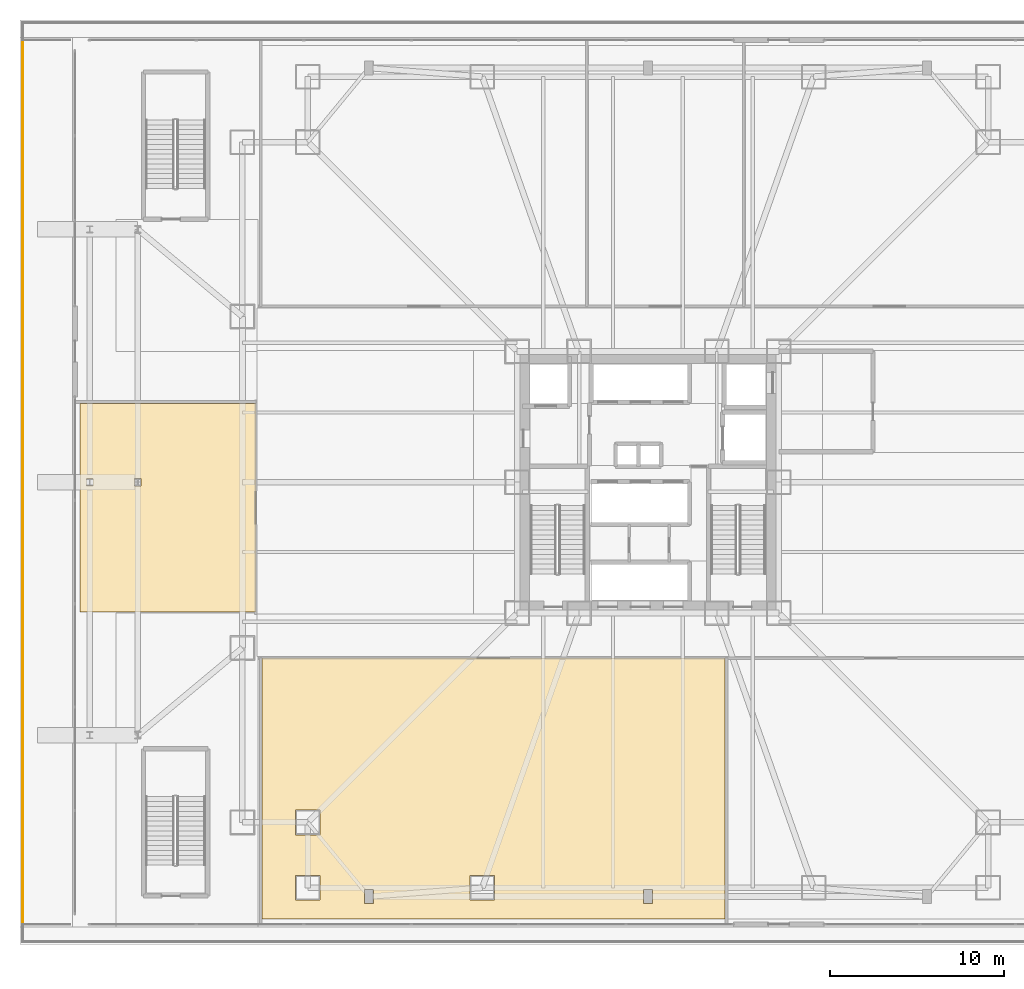
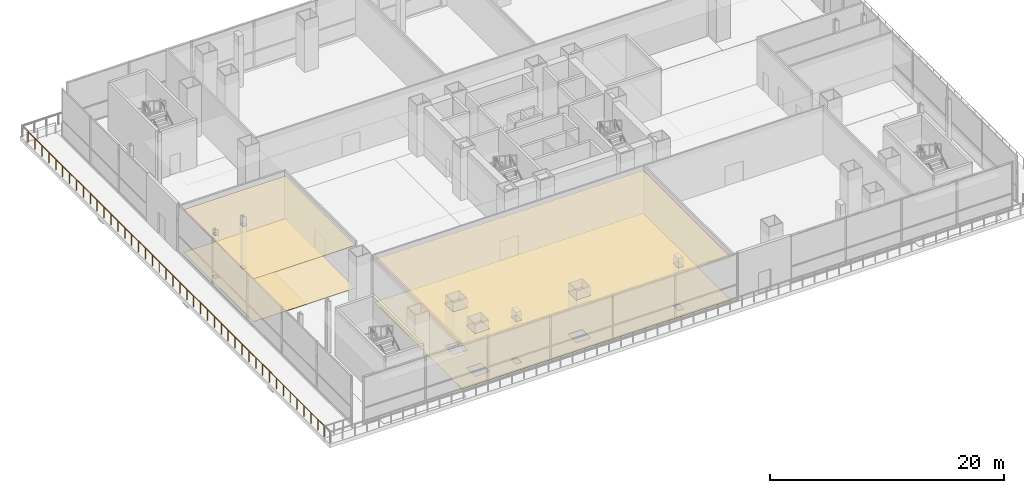
# One storey, part 26 of 36: 4 coverings, 1 railing.
"""IFC4 building model written with IfcOpenShell, lengths in metres."""

from ifc_helpers import new_model, si_unit, direction, frame, origin, origin_2d, place, context, subcontext, project, spatial, polyline, circle, outline, extrude, material, layer, layer_set, type_object, element, save


model = new_model("IFC4")

# Units and contexts
model_context = context("Model", 3, precision=1e-05, world=origin(), true_north=direction((0.0, 1.0)))
body_context = subcontext(model_context, "Body", "Model", "MODEL_VIEW")
ifc_project = project(units=[si_unit("LENGTHUNIT", "METRE"), si_unit("AREAUNIT", "SQUARE_METRE"), si_unit("VOLUMEUNIT", "CUBIC_METRE"), si_unit("PLANEANGLEUNIT", "RADIAN"), si_unit("MASSUNIT", "GRAM", prefix="KILO")], contexts=[model_context])

# Site, building, storey
site_placement = place(None, origin())
site = spatial("IfcSite", under=ifc_project, at=site_placement, CompositionType="ELEMENT")
building_placement = place(site_placement, origin())
building = spatial("IfcBuilding", under=site, at=building_placement, Name="Trevonay Congress Spire", CompositionType="ELEMENT")
storey_placement = place(building_placement, frame((0.0, 0.0, 16.199951171875)))
storey = spatial("IfcBuildingStorey", under=building, at=storey_placement, Name="L03", CompositionType="ELEMENT", Elevation=16.199951171875)

# Coverings
ifc_material_1 = material(Name="Acoustic Mineral Fibre Board", Category="gypsum")
ifc_layer_1 = layer(ifc_material_1, 0.02490234375, Name="Acoustic Mineral Fibre Board")
ifc_layer_set_1 = layer_set([ifc_layer_1], Name="Acoustic Mineral Fibre Board")
covering_type_1 = type_object("IfcCoveringType", Name="COV-CEIL-ACOUSTIC", PredefinedType="CEILING", material=ifc_layer_set_1)
covering_1_placement = place(storey_placement, frame((0.0, 0.0, 4.449951171875)))
element("IfcCovering", 1, at=covering_1_placement, inside=storey, type_object=covering_type_1, Name="L03 Grand Ballroom acoustic suspended ceiling", PredefinedType="CEILING", context=body_context, shape_type="SweptSolid", body=[
    extrude(outline(polyline([(-22.1201171875, -10.080078125), (4.419921875, -10.080078125), (4.419921875, -25.050048828125), (-22.1201171875, -25.050048828125), (-22.1201171875, -10.080078125)]), holes=[polyline([(-16.260009765625, -23.340087890625), (-16.260009765625, -24.159912109375), (-15.739990234375, -24.159912109375), (-15.739990234375, -23.340087890625), (-16.260009765625, -23.340087890625)]), polyline([(-0.260009765625, -23.340087890625), (-0.260009765625, -24.159912109375), (0.260009765625, -24.159912109375), (0.260009765625, -23.340087890625), (-0.260009765625, -23.340087890625)]), polyline([(-20.2099609375, -22.5400390625), (-20.2099609375, -23.9599609375), (-18.7900390625, -23.9599609375), (-18.7900390625, -22.5400390625), (-20.2099609375, -22.5400390625)]), polyline([(-8.7900390625, -22.5400390625), (-10.2099609375, -22.5400390625), (-10.2099609375, -23.9599609375), (-8.7900390625, -23.9599609375), (-8.7900390625, -22.5400390625)]), polyline([(-18.7900390625, -18.7900390625), (-20.2099609375, -18.7900390625), (-20.2099609375, -20.2099609375), (-18.7900390625, -20.2099609375), (-18.7900390625, -18.7900390625)])]), origin(), (0.0, 0.0, 1.0), 0.025146484375),
])
covering_2_placement = place(storey_placement, frame((0.0, 0.0, 4.449951171875)))
element("IfcCovering", 2, at=covering_2_placement, inside=storey, type_object=covering_type_1, Name="L03 VIP Bridal and Green Lounge acoustic suspended ceiling", PredefinedType="CEILING", context=body_context, shape_type="SweptSolid", body=[
    extrude(outline(polyline([(-32.550048828125, 4.52001953125), (-22.47998046875, 4.52001953125), (-22.47998046875, -7.449951171875), (-32.550048828125, -7.449951171875), (-32.550048828125, 4.52001953125)]), holes=[polyline([(-32.175048828125, -0.199951171875), (-31.824951171875, -0.199951171875), (-31.824951171875, 0.199951171875), (-32.175048828125, 0.199951171875), (-32.175048828125, -0.199951171875)]), polyline([(-29.444091796875, -0.222412109375), (-29.055908203125, -0.222412109375), (-29.055908203125, 0.222412109375), (-29.444091796875, 0.222412109375), (-29.444091796875, -0.222412109375)])]), origin(), (0.0, 0.0, 1.0), 0.025146484375),
])
ifc_material_2 = material(Name="Polished Granite Floor Tile", Category="masonry")
ifc_layer_2 = layer(ifc_material_2, 0.02001953125, Name="Polished Granite Floor Tile")
ifc_layer_set_2 = layer_set([ifc_layer_2], Name="Polished Granite Floor Tile")
covering_type_2 = type_object("IfcCoveringType", Name="COV-FLOOR-STONE", PredefinedType="FLOORING", material=ifc_layer_set_2)
covering_3_placement = place(storey_placement, origin())
element("IfcCovering", 3, at=covering_3_placement, inside=storey, type_object=covering_type_2, Name="L03 Grand Ballroom floor finish", PredefinedType="FLOORING", context=body_context, shape_type="SweptSolid", body=[
    extrude(outline(polyline([(-22.1201171875, -10.080078125), (4.419921875, -10.080078125), (4.419921875, -25.050048828125), (-22.1201171875, -25.050048828125), (-22.1201171875, -10.080078125)]), holes=[polyline([(-16.260009765625, -23.340087890625), (-16.260009765625, -24.159912109375), (-15.739990234375, -24.159912109375), (-15.739990234375, -23.340087890625), (-16.260009765625, -23.340087890625)]), polyline([(-0.260009765625, -23.340087890625), (-0.260009765625, -24.159912109375), (0.260009765625, -24.159912109375), (0.260009765625, -23.340087890625), (-0.260009765625, -23.340087890625)]), polyline([(-20.2099609375, -22.5400390625), (-20.2099609375, -23.9599609375), (-18.7900390625, -23.9599609375), (-18.7900390625, -22.5400390625), (-20.2099609375, -22.5400390625)]), polyline([(-8.7900390625, -22.5400390625), (-10.2099609375, -22.5400390625), (-10.2099609375, -23.9599609375), (-8.7900390625, -23.9599609375), (-8.7900390625, -22.5400390625)]), polyline([(-18.7900390625, -18.7900390625), (-20.2099609375, -18.7900390625), (-20.2099609375, -20.2099609375), (-18.7900390625, -20.2099609375), (-18.7900390625, -18.7900390625)])]), origin(), (0.0, 0.0, 1.0), 0.02001953125),
])
ifc_material_3 = material(Name="Engineered Oak Flooring", Category="wood")
ifc_layer_3 = layer(ifc_material_3, 0.01806640625, Name="Engineered Oak Flooring")
ifc_layer_set_3 = layer_set([ifc_layer_3], Name="Engineered Oak Flooring")
covering_type_3 = type_object("IfcCoveringType", Name="COV-FLOOR-TIMBER", PredefinedType="FLOORING", material=ifc_layer_set_3)
covering_4_placement = place(storey_placement, origin())
element("IfcCovering", 4, at=covering_4_placement, inside=storey, type_object=covering_type_3, Name="L03 VIP Bridal and Green Lounge floor finish", PredefinedType="FLOORING", context=body_context, shape_type="SweptSolid", body=[
    extrude(outline(polyline([(-32.550048828125, 4.52001953125), (-22.47998046875, 4.52001953125), (-22.47998046875, -7.449951171875), (-32.550048828125, -7.449951171875), (-32.550048828125, 4.52001953125)]), holes=[polyline([(-32.175048828125, -0.199951171875), (-31.824951171875, -0.199951171875), (-31.824951171875, 0.199951171875), (-32.175048828125, 0.199951171875), (-32.175048828125, -0.199951171875)]), polyline([(-29.444091796875, -0.222412109375), (-29.055908203125, -0.222412109375), (-29.055908203125, 0.222412109375), (-29.444091796875, 0.222412109375), (-29.444091796875, -0.222412109375)])]), origin(), (0.0, 0.0, 1.0), 0.01806640625),
])

# Railing
ifc_material_4 = material(Name="Pale Anodised Aluminium EN AW-6063-T6", Category="aluminium")
railing_type = type_object("IfcRailingType", Name="RAL-EXT-GUARD-115", PredefinedType="GUARDRAIL", material=ifc_material_4)
railing_placement = place(storey_placement, frame((-35.85009765625, 25.35009765625, 0.0)))
element("IfcRailing", 5, at=railing_placement, inside=storey, type_object=railing_type, Name="L03 perimeter safety guard GRD-L03-TER-W-4", PredefinedType="GUARDRAIL", context=body_context, shape_type="SweptSolid", body=[
    extrude(circle(Radius=0.02392578125, at=origin_2d()), frame((0.0, 0.0, 1.1259765625), z_axis=(0.0, -1.0, 0.0), x_axis=(1.0, 0.0, 0.0)), (0.0, 0.0, 1.0), 50.7001953125),
    extrude(circle(Radius=0.02099609375, at=origin_2d()), origin(), (0.0, 0.0, 1.0), 1.101806640625),
    extrude(circle(Radius=0.02099609375, at=origin_2d()), frame((0.0, -1.178955078125, 0.0)), (0.0, 0.0, 1.0), 1.101806640625),
    extrude(circle(Radius=0.02099609375, at=origin_2d()), frame((0.0, -2.358154296875, 0.0)), (0.0, 0.0, 1.0), 1.101806640625),
    extrude(circle(Radius=0.02099609375, at=origin_2d()), frame((0.0, -3.537109375, 0.0)), (0.0, 0.0, 1.0), 1.101806640625),
    extrude(circle(Radius=0.02099609375, at=origin_2d()), frame((0.0, -4.71630859375, 0.0)), (0.0, 0.0, 1.0), 1.101806640625),
    extrude(circle(Radius=0.02099609375, at=origin_2d()), frame((0.0, -5.895263671875, 0.0)), (0.0, 0.0, 1.0), 1.101806640625),
    extrude(circle(Radius=0.02099609375, at=origin_2d()), frame((0.0, -7.074462890625, 0.0)), (0.0, 0.0, 1.0), 1.101806640625),
    extrude(circle(Radius=0.02099609375, at=origin_2d()), frame((0.0, -8.25341796875, 0.0)), (0.0, 0.0, 1.0), 1.101806640625),
    extrude(circle(Radius=0.02099609375, at=origin_2d()), frame((0.0, -9.4326171875, 0.0)), (0.0, 0.0, 1.0), 1.101806640625),
    extrude(circle(Radius=0.02099609375, at=origin_2d()), frame((0.0, -10.611572265625, 0.0)), (0.0, 0.0, 1.0), 1.101806640625),
    extrude(circle(Radius=0.02099609375, at=origin_2d()), frame((0.0, -11.790771484375, 0.0)), (0.0, 0.0, 1.0), 1.101806640625),
    extrude(circle(Radius=0.02099609375, at=origin_2d()), frame((0.0, -12.9697265625, 0.0)), (0.0, 0.0, 1.0), 1.101806640625),
    extrude(circle(Radius=0.02099609375, at=origin_2d()), frame((0.0, -14.14892578125, 0.0)), (0.0, 0.0, 1.0), 1.101806640625),
    extrude(circle(Radius=0.02099609375, at=origin_2d()), frame((0.0, -15.327880859375, 0.0)), (0.0, 0.0, 1.0), 1.101806640625),
    extrude(circle(Radius=0.02099609375, at=origin_2d()), frame((0.0, -16.507080078125, 0.0)), (0.0, 0.0, 1.0), 1.101806640625),
    extrude(circle(Radius=0.02099609375, at=origin_2d()), frame((0.0, -17.68603515625, 0.0)), (0.0, 0.0, 1.0), 1.101806640625),
    extrude(circle(Radius=0.02099609375, at=origin_2d()), frame((0.0, -18.865234375, 0.0)), (0.0, 0.0, 1.0), 1.101806640625),
    extrude(circle(Radius=0.02099609375, at=origin_2d()), frame((0.0, -20.044189453125, 0.0)), (0.0, 0.0, 1.0), 1.101806640625),
    extrude(circle(Radius=0.02099609375, at=origin_2d()), frame((0.0, -21.223388671875, 0.0)), (0.0, 0.0, 1.0), 1.101806640625),
    extrude(circle(Radius=0.02099609375, at=origin_2d()), frame((0.0, -22.40234375, 0.0)), (0.0, 0.0, 1.0), 1.101806640625),
    extrude(circle(Radius=0.02099609375, at=origin_2d()), frame((0.0, -23.58154296875, 0.0)), (0.0, 0.0, 1.0), 1.101806640625),
    extrude(circle(Radius=0.02099609375, at=origin_2d()), frame((0.0, -24.760498046875, 0.0)), (0.0, 0.0, 1.0), 1.101806640625),
    extrude(circle(Radius=0.02099609375, at=origin_2d()), frame((0.0, -25.939697265625, 0.0)), (0.0, 0.0, 1.0), 1.101806640625),
    extrude(circle(Radius=0.02099609375, at=origin_2d()), frame((0.0, -27.11865234375, 0.0)), (0.0, 0.0, 1.0), 1.101806640625),
    extrude(circle(Radius=0.02099609375, at=origin_2d()), frame((0.0, -28.2978515625, 0.0)), (0.0, 0.0, 1.0), 1.101806640625),
    extrude(circle(Radius=0.02099609375, at=origin_2d()), frame((0.0, -29.476806640625, 0.0)), (0.0, 0.0, 1.0), 1.101806640625),
    extrude(circle(Radius=0.02099609375, at=origin_2d()), frame((0.0, -30.656005859375, 0.0)), (0.0, 0.0, 1.0), 1.101806640625),
    extrude(circle(Radius=0.02099609375, at=origin_2d()), frame((0.0, -31.8349609375, 0.0)), (0.0, 0.0, 1.0), 1.101806640625),
    extrude(circle(Radius=0.02099609375, at=origin_2d()), frame((0.0, -33.01416015625, 0.0)), (0.0, 0.0, 1.0), 1.101806640625),
    extrude(circle(Radius=0.02099609375, at=origin_2d()), frame((0.0, -34.193115234375, 0.0)), (0.0, 0.0, 1.0), 1.101806640625),
    extrude(circle(Radius=0.02099609375, at=origin_2d()), frame((0.0, -35.372314453125, 0.0)), (0.0, 0.0, 1.0), 1.101806640625),
    extrude(circle(Radius=0.02099609375, at=origin_2d()), frame((0.0, -36.55126953125, 0.0)), (0.0, 0.0, 1.0), 1.101806640625),
    extrude(circle(Radius=0.02099609375, at=origin_2d()), frame((0.0, -37.73046875, 0.0)), (0.0, 0.0, 1.0), 1.101806640625),
    extrude(circle(Radius=0.02099609375, at=origin_2d()), frame((0.0, -38.909423828125, 0.0)), (0.0, 0.0, 1.0), 1.101806640625),
    extrude(circle(Radius=0.02099609375, at=origin_2d()), frame((0.0, -40.088623046875, 0.0)), (0.0, 0.0, 1.0), 1.101806640625),
    extrude(circle(Radius=0.02099609375, at=origin_2d()), frame((0.0, -41.267578125, 0.0)), (0.0, 0.0, 1.0), 1.101806640625),
    extrude(circle(Radius=0.02099609375, at=origin_2d()), frame((0.0, -42.44677734375, 0.0)), (0.0, 0.0, 1.0), 1.101806640625),
    extrude(circle(Radius=0.02099609375, at=origin_2d()), frame((0.0, -43.625732421875, 0.0)), (0.0, 0.0, 1.0), 1.101806640625),
    extrude(circle(Radius=0.02099609375, at=origin_2d()), frame((0.0, -44.804931640625, 0.0)), (0.0, 0.0, 1.0), 1.101806640625),
    extrude(circle(Radius=0.02099609375, at=origin_2d()), frame((0.0, -45.98388671875, 0.0)), (0.0, 0.0, 1.0), 1.101806640625),
    extrude(circle(Radius=0.02099609375, at=origin_2d()), frame((0.0, -47.1630859375, 0.0)), (0.0, 0.0, 1.0), 1.101806640625),
    extrude(circle(Radius=0.02099609375, at=origin_2d()), frame((0.0, -48.342041015625, 0.0)), (0.0, 0.0, 1.0), 1.101806640625),
    extrude(circle(Radius=0.02099609375, at=origin_2d()), frame((0.0, -49.521240234375, 0.0)), (0.0, 0.0, 1.0), 1.101806640625),
    extrude(circle(Radius=0.02099609375, at=origin_2d()), frame((0.0, -50.7001953125, 0.0)), (0.0, 0.0, 1.0), 1.101806640625),
])

save(model, "model.ifc")
